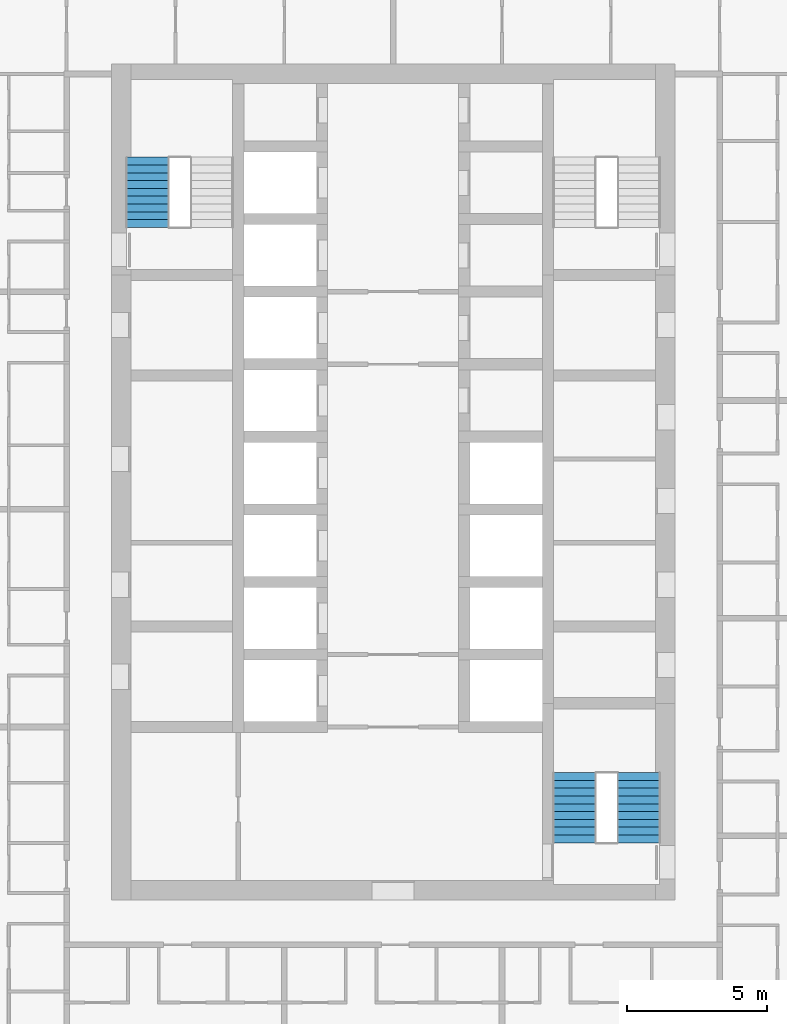
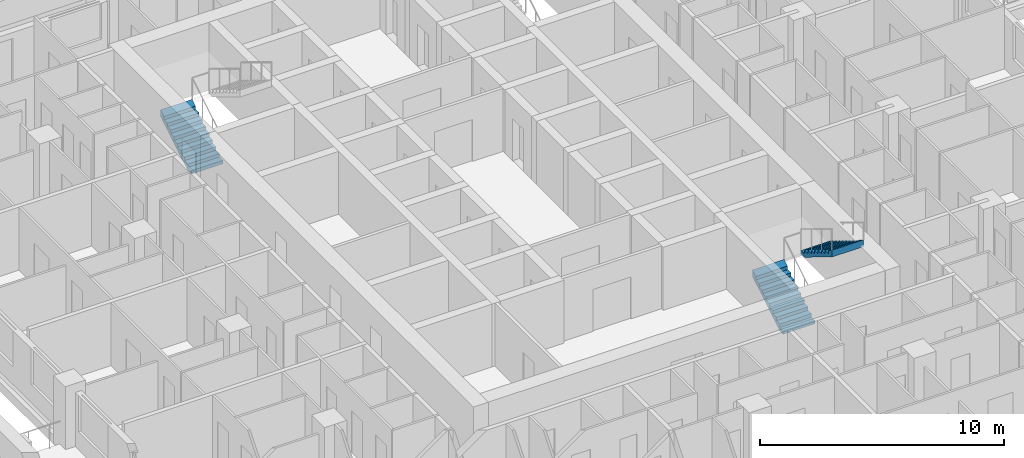
# One storey, part 15 of 18: 3 stair flights, 2 elements without a shape of their own.
"""IFC4 building model written with IfcOpenShell, lengths in metres."""

from ifc_helpers import new_model, si_unit, direction, frame, origin, place, context, subcontext, project, spatial, triangles, material, type_object, element, aggregate, save


model = new_model("IFC4")

# Units and contexts
model_context = context("Model", 3, precision=1e-05, world=origin(), true_north=direction((0.0, 1.0)))
body_context = subcontext(model_context, "Body", "Model", "MODEL_VIEW")
ifc_project = project(units=[si_unit("LENGTHUNIT", "METRE"), si_unit("AREAUNIT", "SQUARE_METRE"), si_unit("VOLUMEUNIT", "CUBIC_METRE"), si_unit("PLANEANGLEUNIT", "RADIAN"), si_unit("MASSUNIT", "GRAM", prefix="KILO")], contexts=[model_context])

# Site, building, storey
site_placement = place(None, origin())
site = spatial("IfcSite", under=ifc_project, at=site_placement, CompositionType="ELEMENT")
building_placement = place(site_placement, origin())
building = spatial("IfcBuilding", under=site, at=building_placement, Name="Ludao Terraces", CompositionType="ELEMENT")
storey_placement = place(building_placement, frame((0.0, 0.0, 64.800048828125)))
storey = spatial("IfcBuildingStorey", under=building, at=storey_placement, Name="L17", CompositionType="ELEMENT", Elevation=64.800048828125)

# Stair, stair flight
ifc_material = material(Name="Concrete C40", Category="concrete")
stair_type = type_object("IfcStairType", Name="INT Stair", PredefinedType="HALF_TURN_STAIR", material=ifc_material)
stair_1_placement = place(storey_placement, origin())
stair_1 = element("IfcStair", 1, at=stair_1_placement, inside=storey, type_object=stair_type, Name="EXIT STAIR 1", PredefinedType="HALF_TURN_STAIR")
stair_flight_type = type_object("IfcStairFlightType", Name="INT Stair flight", PredefinedType="STRAIGHT", material=ifc_material)
stair_flight_1_placement = place(storey_placement, frame((76.199951171875, 79.0, 0.0), z_axis=(0.0, 0.0, 1.0), x_axis=(0.0, 1.0, 0.0)))
stair_flight_1 = element("IfcStairFlight", 2, at=stair_flight_1_placement, type_object=stair_flight_type, Name="ST1 flight 1", NumberOfRisers=10, NumberOfTreads=9, PredefinedType="STRAIGHT", RiserHeight=0.17, TreadLength=0.28, context=body_context, shape_type="Tessellation", body=[
    triangles([(0.0, -0.75, 0.0), (0.0, -0.5, 0.0), (0.0, -0.25, 0.0), (0.0, 0.0, 0.0), (0.0, 0.25, 0.0), (0.0, 0.5, 0.0), (0.0, 0.75, 0.0), (0.0, -0.75, 0.169921875), (0.0, -0.5, 0.169921875), (0.0, -0.25, 0.169921875), (0.0, 0.0, 0.169921875), (0.0, 0.25, 0.169921875), (0.0, 0.5, 0.169921875), (0.0, 0.75, 0.169921875), (0.280029296875, -0.75, 0.169921875), (0.280029296875, -0.5, 0.169921875), (0.280029296875, -0.25, 0.169921875), (0.280029296875, 0.0, 0.169921875), (0.280029296875, 0.25, 0.169921875), (0.280029296875, 0.5, 0.169921875), (0.280029296875, 0.75, 0.169921875), (0.280029296875, -0.75, 0.340087890625), (0.280029296875, -0.5, 0.340087890625), (0.280029296875, -0.25, 0.340087890625), (0.280029296875, 0.0, 0.340087890625), (0.280029296875, 0.25, 0.340087890625), (0.280029296875, 0.5, 0.340087890625), (0.280029296875, 0.75, 0.340087890625), (0.56005859375, -0.75, 0.340087890625), (0.56005859375, -0.5, 0.340087890625), (0.56005859375, -0.25, 0.340087890625), (0.56005859375, 0.0, 0.340087890625), (0.56005859375, 0.25, 0.340087890625), (0.56005859375, 0.5, 0.340087890625), (0.56005859375, 0.75, 0.340087890625), (0.56005859375, -0.75, 0.510009765625), (0.56005859375, -0.5, 0.510009765625), (0.56005859375, -0.25, 0.510009765625), (0.56005859375, 0.0, 0.510009765625), (0.56005859375, 0.25, 0.510009765625), (0.56005859375, 0.5, 0.510009765625), (0.56005859375, 0.75, 0.510009765625), (0.840087890625, -0.75, 0.510009765625), (0.840087890625, -0.5, 0.510009765625), (0.840087890625, -0.25, 0.510009765625), (0.840087890625, 0.0, 0.510009765625), (0.840087890625, 0.25, 0.510009765625), (0.840087890625, 0.5, 0.510009765625), (0.840087890625, 0.75, 0.510009765625), (0.840087890625, -0.75, 0.679931640625), (0.840087890625, -0.5, 0.679931640625), (0.840087890625, -0.25, 0.679931640625), (0.840087890625, 0.0, 0.679931640625), (0.840087890625, 0.25, 0.679931640625), (0.840087890625, 0.5, 0.679931640625), (0.840087890625, 0.75, 0.679931640625), (1.1201171875, -0.75, 0.679931640625), (1.1201171875, -0.5, 0.679931640625), (1.1201171875, -0.25, 0.679931640625), (1.1201171875, 0.0, 0.679931640625), (1.1201171875, 0.25, 0.679931640625), (1.1201171875, 0.5, 0.679931640625), (1.1201171875, 0.75, 0.679931640625), (1.1201171875, -0.75, 0.85009765625), (1.1201171875, -0.5, 0.85009765625), (1.1201171875, -0.25, 0.85009765625), (1.1201171875, 0.0, 0.85009765625), (1.1201171875, 0.25, 0.85009765625), (1.1201171875, 0.5, 0.85009765625), (1.1201171875, 0.75, 0.85009765625), (1.39990234375, -0.75, 0.85009765625), (1.39990234375, -0.5, 0.85009765625), (1.39990234375, -0.25, 0.85009765625), (1.39990234375, 0.0, 0.85009765625), (1.39990234375, 0.25, 0.85009765625), (1.39990234375, 0.5, 0.85009765625), (1.39990234375, 0.75, 0.85009765625), (1.39990234375, -0.75, 1.02001953125), (1.39990234375, -0.5, 1.02001953125), (1.39990234375, -0.25, 1.02001953125), (1.39990234375, 0.0, 1.02001953125), (1.39990234375, 0.25, 1.02001953125), (1.39990234375, 0.5, 1.02001953125), (1.39990234375, 0.75, 1.02001953125), (1.679931640625, -0.75, 1.02001953125), (1.679931640625, -0.5, 1.02001953125), (1.679931640625, -0.25, 1.02001953125), (1.679931640625, 0.0, 1.02001953125), (1.679931640625, 0.25, 1.02001953125), (1.679931640625, 0.5, 1.02001953125), (1.679931640625, 0.75, 1.02001953125), (1.679931640625, -0.75, 1.18994140625), (1.679931640625, -0.5, 1.18994140625), (1.679931640625, -0.25, 1.18994140625), (1.679931640625, 0.0, 1.18994140625), (1.679931640625, 0.25, 1.18994140625), (1.679931640625, 0.5, 1.18994140625), (1.679931640625, 0.75, 1.18994140625), (1.9599609375, -0.75, 1.18994140625), (1.9599609375, -0.5, 1.18994140625), (1.9599609375, -0.25, 1.18994140625), (1.9599609375, 0.0, 1.18994140625), (1.9599609375, 0.25, 1.18994140625), (1.9599609375, 0.5, 1.18994140625), (1.9599609375, 0.75, 1.18994140625), (1.9599609375, -0.75, 1.360107421875), (1.9599609375, -0.5, 1.360107421875), (1.9599609375, -0.25, 1.360107421875), (1.9599609375, 0.0, 1.360107421875), (1.9599609375, 0.25, 1.360107421875), (1.9599609375, 0.5, 1.360107421875), (1.9599609375, 0.75, 1.360107421875), (2.239990234375, -0.75, 1.360107421875), (2.239990234375, -0.5, 1.360107421875), (2.239990234375, -0.25, 1.360107421875), (2.239990234375, 0.0, 1.360107421875), (2.239990234375, 0.25, 1.360107421875), (2.239990234375, 0.5, 1.360107421875), (2.239990234375, 0.75, 1.360107421875), (2.239990234375, -0.75, 1.530029296875), (2.239990234375, -0.5, 1.530029296875), (2.239990234375, -0.25, 1.530029296875), (2.239990234375, 0.0, 1.530029296875), (2.239990234375, 0.25, 1.530029296875), (2.239990234375, 0.5, 1.530029296875), (2.239990234375, 0.75, 1.530029296875), (2.52001953125, -0.75, 1.699951171875), (2.52001953125, -0.5, 1.699951171875), (2.52001953125, -0.25, 1.699951171875), (2.52001953125, 0.0, 1.699951171875), (2.52001953125, 0.25, 1.699951171875), (2.52001953125, 0.5, 1.699951171875), (2.52001953125, 0.75, 1.699951171875), (2.52001953125, -0.75, 1.354736328125), (2.52001953125, -0.5, 1.354736328125), (2.52001953125, -0.25, 1.354736328125), (2.52001953125, 0.0, 1.354736328125), (2.52001953125, 0.25, 1.354736328125), (2.52001953125, 0.5, 1.354736328125), (2.52001953125, 0.75, 1.354736328125), (0.288818359375, -0.75, 0.0), (0.288818359375, -0.5, 0.0), (0.288818359375, -0.25, 0.0), (0.288818359375, 0.0, 0.0), (0.288818359375, 0.25, 0.0), (0.288818359375, 0.5, 0.0), (0.288818359375, 0.75, 0.0)], [[1, 141, 134], [7, 140, 147], [134, 127, 120], [140, 126, 133], [134, 120, 113], [140, 119, 126], [134, 113, 106], [140, 112, 119], [134, 106, 99], [140, 105, 112], [99, 92, 85], [105, 91, 98], [134, 99, 85], [140, 91, 105], [85, 78, 71], [91, 77, 84], [134, 85, 71], [140, 77, 91], [71, 64, 57], [77, 63, 70], [134, 71, 57], [140, 63, 77], [57, 50, 43], [63, 49, 56], [134, 57, 43], [140, 49, 63], [43, 36, 29], [49, 35, 42], [134, 43, 29], [140, 35, 49], [29, 22, 15], [35, 21, 28], [134, 29, 15], [140, 21, 35], [1, 134, 15], [7, 21, 140], [15, 8, 1], [21, 7, 14], [1, 9, 2], [1, 8, 9], [2, 10, 3], [2, 9, 10], [3, 11, 4], [3, 10, 11], [4, 12, 5], [4, 11, 12], [5, 13, 6], [5, 12, 13], [6, 14, 7], [6, 13, 14], [8, 16, 9], [8, 15, 16], [9, 17, 10], [9, 16, 17], [10, 18, 11], [10, 17, 18], [11, 19, 12], [11, 18, 19], [12, 20, 13], [12, 19, 20], [13, 21, 14], [13, 20, 21], [15, 23, 16], [15, 22, 23], [16, 24, 17], [16, 23, 24], [17, 25, 18], [17, 24, 25], [18, 26, 19], [18, 25, 26], [19, 27, 20], [19, 26, 27], [20, 28, 21], [20, 27, 28], [22, 30, 23], [22, 29, 30], [23, 31, 24], [23, 30, 31], [24, 32, 25], [24, 31, 32], [25, 33, 26], [25, 32, 33], [26, 34, 27], [26, 33, 34], [27, 35, 28], [27, 34, 35], [29, 37, 30], [29, 36, 37], [30, 38, 31], [30, 37, 38], [31, 39, 32], [31, 38, 39], [32, 40, 33], [32, 39, 40], [33, 41, 34], [33, 40, 41], [34, 42, 35], [34, 41, 42], [36, 44, 37], [36, 43, 44], [37, 45, 38], [37, 44, 45], [38, 46, 39], [38, 45, 46], [39, 47, 40], [39, 46, 47], [40, 48, 41], [40, 47, 48], [41, 49, 42], [41, 48, 49], [43, 51, 44], [43, 50, 51], [44, 52, 45], [44, 51, 52], [45, 53, 46], [45, 52, 53], [46, 54, 47], [46, 53, 54], [47, 55, 48], [47, 54, 55], [48, 56, 49], [48, 55, 56], [50, 58, 51], [50, 57, 58], [51, 59, 52], [51, 58, 59], [52, 60, 53], [52, 59, 60], [53, 61, 54], [53, 60, 61], [54, 62, 55], [54, 61, 62], [55, 63, 56], [55, 62, 63], [57, 65, 58], [57, 64, 65], [58, 66, 59], [58, 65, 66], [59, 67, 60], [59, 66, 67], [60, 68, 61], [60, 67, 68], [61, 69, 62], [61, 68, 69], [62, 70, 63], [62, 69, 70], [64, 72, 65], [64, 71, 72], [65, 73, 66], [65, 72, 73], [66, 74, 67], [66, 73, 74], [67, 75, 68], [67, 74, 75], [68, 76, 69], [68, 75, 76], [69, 77, 70], [69, 76, 77], [71, 79, 72], [71, 78, 79], [72, 80, 73], [72, 79, 80], [73, 81, 74], [73, 80, 81], [74, 82, 75], [74, 81, 82], [75, 83, 76], [75, 82, 83], [76, 84, 77], [76, 83, 84], [78, 86, 79], [78, 85, 86], [79, 87, 80], [79, 86, 87], [80, 88, 81], [80, 87, 88], [81, 89, 82], [81, 88, 89], [82, 90, 83], [82, 89, 90], [83, 91, 84], [83, 90, 91], [85, 93, 86], [85, 92, 93], [86, 94, 87], [86, 93, 94], [87, 95, 88], [87, 94, 95], [88, 96, 89], [88, 95, 96], [89, 97, 90], [89, 96, 97], [90, 98, 91], [90, 97, 98], [92, 100, 93], [92, 99, 100], [93, 101, 94], [93, 100, 101], [94, 102, 95], [94, 101, 102], [95, 103, 96], [95, 102, 103], [96, 104, 97], [96, 103, 104], [97, 105, 98], [97, 104, 105], [99, 107, 100], [99, 106, 107], [100, 108, 101], [100, 107, 108], [101, 109, 102], [101, 108, 109], [102, 110, 103], [102, 109, 110], [103, 111, 104], [103, 110, 111], [104, 112, 105], [104, 111, 112], [106, 114, 107], [106, 113, 114], [107, 115, 108], [107, 114, 115], [108, 116, 109], [108, 115, 116], [109, 117, 110], [109, 116, 117], [110, 118, 111], [110, 117, 118], [111, 119, 112], [111, 118, 119], [113, 121, 114], [113, 120, 121], [114, 122, 115], [114, 121, 122], [115, 123, 116], [115, 122, 123], [116, 124, 117], [116, 123, 124], [117, 125, 118], [117, 124, 125], [118, 126, 119], [118, 125, 126], [120, 128, 121], [120, 127, 128], [121, 129, 122], [121, 128, 129], [122, 130, 123], [122, 129, 130], [123, 131, 124], [123, 130, 131], [124, 132, 125], [124, 131, 132], [125, 133, 126], [125, 132, 133], [127, 135, 128], [127, 134, 135], [128, 136, 129], [128, 135, 136], [129, 137, 130], [129, 136, 137], [130, 138, 131], [130, 137, 138], [131, 139, 132], [131, 138, 139], [132, 140, 133], [132, 139, 140], [134, 142, 135], [134, 141, 142], [135, 143, 136], [135, 142, 143], [136, 144, 137], [136, 143, 144], [137, 145, 138], [137, 144, 145], [138, 146, 139], [138, 145, 146], [139, 147, 140], [139, 146, 147], [141, 2, 142], [141, 1, 2], [142, 3, 143], [142, 2, 3], [143, 4, 144], [143, 3, 4], [144, 5, 145], [144, 4, 5], [145, 6, 146], [145, 5, 6], [146, 7, 147], [146, 6, 7]], closed=True),
])
aggregate(stair_1, [stair_flight_1])

# Stair, stair flights
stair_2_placement = place(storey_placement, origin())
stair_2 = element("IfcStair", 3, at=stair_2_placement, inside=storey, type_object=stair_type, Name="EXIT STAIR 3", PredefinedType="HALF_TURN_STAIR")
stair_flight_2_placement = place(storey_placement, frame((91.5, 56.949951171875, 0.0), z_axis=(0.0, 0.0, 1.0), x_axis=(0.0, 1.0, 0.0)))
stair_flight_2 = element("IfcStairFlight", 4, at=stair_flight_2_placement, type_object=stair_flight_type, Name="ST3 flight 1", NumberOfRisers=10, NumberOfTreads=9, PredefinedType="STRAIGHT", RiserHeight=0.17, TreadLength=0.28, context=body_context, shape_type="Tessellation", body=[
    triangles([(0.0, -0.75, 0.0), (0.0, -0.5, 0.0), (0.0, -0.25, 0.0), (0.0, 0.0, 0.0), (0.0, 0.25, 0.0), (0.0, 0.5, 0.0), (0.0, 0.75, 0.0), (0.0, -0.75, 0.169921875), (0.0, -0.5, 0.169921875), (0.0, -0.25, 0.169921875), (0.0, 0.0, 0.169921875), (0.0, 0.25, 0.169921875), (0.0, 0.5, 0.169921875), (0.0, 0.75, 0.169921875), (0.280029296875, -0.75, 0.169921875), (0.280029296875, -0.5, 0.169921875), (0.280029296875, -0.25, 0.169921875), (0.280029296875, 0.0, 0.169921875), (0.280029296875, 0.25, 0.169921875), (0.280029296875, 0.5, 0.169921875), (0.280029296875, 0.75, 0.169921875), (0.280029296875, -0.75, 0.340087890625), (0.280029296875, -0.5, 0.340087890625), (0.280029296875, -0.25, 0.340087890625), (0.280029296875, 0.0, 0.340087890625), (0.280029296875, 0.25, 0.340087890625), (0.280029296875, 0.5, 0.340087890625), (0.280029296875, 0.75, 0.340087890625), (0.56005859375, -0.75, 0.340087890625), (0.56005859375, -0.5, 0.340087890625), (0.56005859375, -0.25, 0.340087890625), (0.56005859375, 0.0, 0.340087890625), (0.56005859375, 0.25, 0.340087890625), (0.56005859375, 0.5, 0.340087890625), (0.56005859375, 0.75, 0.340087890625), (0.56005859375, -0.75, 0.510009765625), (0.56005859375, -0.5, 0.510009765625), (0.56005859375, -0.25, 0.510009765625), (0.56005859375, 0.0, 0.510009765625), (0.56005859375, 0.25, 0.510009765625), (0.56005859375, 0.5, 0.510009765625), (0.56005859375, 0.75, 0.510009765625), (0.840087890625, -0.75, 0.510009765625), (0.840087890625, -0.5, 0.510009765625), (0.840087890625, -0.25, 0.510009765625), (0.840087890625, 0.0, 0.510009765625), (0.840087890625, 0.25, 0.510009765625), (0.840087890625, 0.5, 0.510009765625), (0.840087890625, 0.75, 0.510009765625), (0.840087890625, -0.75, 0.679931640625), (0.840087890625, -0.5, 0.679931640625), (0.840087890625, -0.25, 0.679931640625), (0.840087890625, 0.0, 0.679931640625), (0.840087890625, 0.25, 0.679931640625), (0.840087890625, 0.5, 0.679931640625), (0.840087890625, 0.75, 0.679931640625), (1.1201171875, -0.75, 0.679931640625), (1.1201171875, -0.5, 0.679931640625), (1.1201171875, -0.25, 0.679931640625), (1.1201171875, 0.0, 0.679931640625), (1.1201171875, 0.25, 0.679931640625), (1.1201171875, 0.5, 0.679931640625), (1.1201171875, 0.75, 0.679931640625), (1.1201171875, -0.75, 0.85009765625), (1.1201171875, -0.5, 0.85009765625), (1.1201171875, -0.25, 0.85009765625), (1.1201171875, 0.0, 0.85009765625), (1.1201171875, 0.25, 0.85009765625), (1.1201171875, 0.5, 0.85009765625), (1.1201171875, 0.75, 0.85009765625), (1.39990234375, -0.75, 0.85009765625), (1.39990234375, -0.5, 0.85009765625), (1.39990234375, -0.25, 0.85009765625), (1.39990234375, 0.0, 0.85009765625), (1.39990234375, 0.25, 0.85009765625), (1.39990234375, 0.5, 0.85009765625), (1.39990234375, 0.75, 0.85009765625), (1.39990234375, -0.75, 1.02001953125), (1.39990234375, -0.5, 1.02001953125), (1.39990234375, -0.25, 1.02001953125), (1.39990234375, 0.0, 1.02001953125), (1.39990234375, 0.25, 1.02001953125), (1.39990234375, 0.5, 1.02001953125), (1.39990234375, 0.75, 1.02001953125), (1.679931640625, -0.75, 1.02001953125), (1.679931640625, -0.5, 1.02001953125), (1.679931640625, -0.25, 1.02001953125), (1.679931640625, 0.0, 1.02001953125), (1.679931640625, 0.25, 1.02001953125), (1.679931640625, 0.5, 1.02001953125), (1.679931640625, 0.75, 1.02001953125), (1.679931640625, -0.75, 1.18994140625), (1.679931640625, -0.5, 1.18994140625), (1.679931640625, -0.25, 1.18994140625), (1.679931640625, 0.0, 1.18994140625), (1.679931640625, 0.25, 1.18994140625), (1.679931640625, 0.5, 1.18994140625), (1.679931640625, 0.75, 1.18994140625), (1.9599609375, -0.75, 1.18994140625), (1.9599609375, -0.5, 1.18994140625), (1.9599609375, -0.25, 1.18994140625), (1.9599609375, 0.0, 1.18994140625), (1.9599609375, 0.25, 1.18994140625), (1.9599609375, 0.5, 1.18994140625), (1.9599609375, 0.75, 1.18994140625), (1.9599609375, -0.75, 1.360107421875), (1.9599609375, -0.5, 1.360107421875), (1.9599609375, -0.25, 1.360107421875), (1.9599609375, 0.0, 1.360107421875), (1.9599609375, 0.25, 1.360107421875), (1.9599609375, 0.5, 1.360107421875), (1.9599609375, 0.75, 1.360107421875), (2.239990234375, -0.75, 1.360107421875), (2.239990234375, -0.5, 1.360107421875), (2.239990234375, -0.25, 1.360107421875), (2.239990234375, 0.0, 1.360107421875), (2.239990234375, 0.25, 1.360107421875), (2.239990234375, 0.5, 1.360107421875), (2.239990234375, 0.75, 1.360107421875), (2.239990234375, -0.75, 1.530029296875), (2.239990234375, -0.5, 1.530029296875), (2.239990234375, -0.25, 1.530029296875), (2.239990234375, 0.0, 1.530029296875), (2.239990234375, 0.25, 1.530029296875), (2.239990234375, 0.5, 1.530029296875), (2.239990234375, 0.75, 1.530029296875), (2.52001953125, -0.75, 1.699951171875), (2.52001953125, -0.5, 1.699951171875), (2.52001953125, -0.25, 1.699951171875), (2.52001953125, 0.0, 1.699951171875), (2.52001953125, 0.25, 1.699951171875), (2.52001953125, 0.5, 1.699951171875), (2.52001953125, 0.75, 1.699951171875), (2.52001953125, -0.75, 1.354736328125), (2.52001953125, -0.5, 1.354736328125), (2.52001953125, -0.25, 1.354736328125), (2.52001953125, 0.0, 1.354736328125), (2.52001953125, 0.25, 1.354736328125), (2.52001953125, 0.5, 1.354736328125), (2.52001953125, 0.75, 1.354736328125), (0.288818359375, -0.75, 0.0), (0.288818359375, -0.5, 0.0), (0.288818359375, -0.25, 0.0), (0.288818359375, 0.0, 0.0), (0.288818359375, 0.25, 0.0), (0.288818359375, 0.5, 0.0), (0.288818359375, 0.75, 0.0)], [[1, 141, 134], [7, 140, 147], [134, 127, 120], [140, 126, 133], [134, 120, 113], [140, 119, 126], [134, 113, 106], [140, 112, 119], [134, 106, 99], [140, 105, 112], [99, 92, 85], [105, 91, 98], [134, 99, 85], [140, 91, 105], [85, 78, 71], [91, 77, 84], [134, 85, 71], [140, 77, 91], [71, 64, 57], [77, 63, 70], [134, 71, 57], [140, 63, 77], [57, 50, 43], [63, 49, 56], [134, 57, 43], [140, 49, 63], [43, 36, 29], [49, 35, 42], [134, 43, 29], [140, 35, 49], [29, 22, 15], [35, 21, 28], [134, 29, 15], [140, 21, 35], [1, 134, 15], [7, 21, 140], [15, 8, 1], [21, 7, 14], [1, 9, 2], [1, 8, 9], [2, 10, 3], [2, 9, 10], [3, 11, 4], [3, 10, 11], [4, 12, 5], [4, 11, 12], [5, 13, 6], [5, 12, 13], [6, 14, 7], [6, 13, 14], [8, 16, 9], [8, 15, 16], [9, 17, 10], [9, 16, 17], [10, 18, 11], [10, 17, 18], [11, 19, 12], [11, 18, 19], [12, 20, 13], [12, 19, 20], [13, 21, 14], [13, 20, 21], [15, 23, 16], [15, 22, 23], [16, 24, 17], [16, 23, 24], [17, 25, 18], [17, 24, 25], [18, 26, 19], [18, 25, 26], [19, 27, 20], [19, 26, 27], [20, 28, 21], [20, 27, 28], [22, 30, 23], [22, 29, 30], [23, 31, 24], [23, 30, 31], [24, 32, 25], [24, 31, 32], [25, 33, 26], [25, 32, 33], [26, 34, 27], [26, 33, 34], [27, 35, 28], [27, 34, 35], [29, 37, 30], [29, 36, 37], [30, 38, 31], [30, 37, 38], [31, 39, 32], [31, 38, 39], [32, 40, 33], [32, 39, 40], [33, 41, 34], [33, 40, 41], [34, 42, 35], [34, 41, 42], [36, 44, 37], [36, 43, 44], [37, 45, 38], [37, 44, 45], [38, 46, 39], [38, 45, 46], [39, 47, 40], [39, 46, 47], [40, 48, 41], [40, 47, 48], [41, 49, 42], [41, 48, 49], [43, 51, 44], [43, 50, 51], [44, 52, 45], [44, 51, 52], [45, 53, 46], [45, 52, 53], [46, 54, 47], [46, 53, 54], [47, 55, 48], [47, 54, 55], [48, 56, 49], [48, 55, 56], [50, 58, 51], [50, 57, 58], [51, 59, 52], [51, 58, 59], [52, 60, 53], [52, 59, 60], [53, 61, 54], [53, 60, 61], [54, 62, 55], [54, 61, 62], [55, 63, 56], [55, 62, 63], [57, 65, 58], [57, 64, 65], [58, 66, 59], [58, 65, 66], [59, 67, 60], [59, 66, 67], [60, 68, 61], [60, 67, 68], [61, 69, 62], [61, 68, 69], [62, 70, 63], [62, 69, 70], [64, 72, 65], [64, 71, 72], [65, 73, 66], [65, 72, 73], [66, 74, 67], [66, 73, 74], [67, 75, 68], [67, 74, 75], [68, 76, 69], [68, 75, 76], [69, 77, 70], [69, 76, 77], [71, 79, 72], [71, 78, 79], [72, 80, 73], [72, 79, 80], [73, 81, 74], [73, 80, 81], [74, 82, 75], [74, 81, 82], [75, 83, 76], [75, 82, 83], [76, 84, 77], [76, 83, 84], [78, 86, 79], [78, 85, 86], [79, 87, 80], [79, 86, 87], [80, 88, 81], [80, 87, 88], [81, 89, 82], [81, 88, 89], [82, 90, 83], [82, 89, 90], [83, 91, 84], [83, 90, 91], [85, 93, 86], [85, 92, 93], [86, 94, 87], [86, 93, 94], [87, 95, 88], [87, 94, 95], [88, 96, 89], [88, 95, 96], [89, 97, 90], [89, 96, 97], [90, 98, 91], [90, 97, 98], [92, 100, 93], [92, 99, 100], [93, 101, 94], [93, 100, 101], [94, 102, 95], [94, 101, 102], [95, 103, 96], [95, 102, 103], [96, 104, 97], [96, 103, 104], [97, 105, 98], [97, 104, 105], [99, 107, 100], [99, 106, 107], [100, 108, 101], [100, 107, 108], [101, 109, 102], [101, 108, 109], [102, 110, 103], [102, 109, 110], [103, 111, 104], [103, 110, 111], [104, 112, 105], [104, 111, 112], [106, 114, 107], [106, 113, 114], [107, 115, 108], [107, 114, 115], [108, 116, 109], [108, 115, 116], [109, 117, 110], [109, 116, 117], [110, 118, 111], [110, 117, 118], [111, 119, 112], [111, 118, 119], [113, 121, 114], [113, 120, 121], [114, 122, 115], [114, 121, 122], [115, 123, 116], [115, 122, 123], [116, 124, 117], [116, 123, 124], [117, 125, 118], [117, 124, 125], [118, 126, 119], [118, 125, 126], [120, 128, 121], [120, 127, 128], [121, 129, 122], [121, 128, 129], [122, 130, 123], [122, 129, 130], [123, 131, 124], [123, 130, 131], [124, 132, 125], [124, 131, 132], [125, 133, 126], [125, 132, 133], [127, 135, 128], [127, 134, 135], [128, 136, 129], [128, 135, 136], [129, 137, 130], [129, 136, 137], [130, 138, 131], [130, 137, 138], [131, 139, 132], [131, 138, 139], [132, 140, 133], [132, 139, 140], [134, 142, 135], [134, 141, 142], [135, 143, 136], [135, 142, 143], [136, 144, 137], [136, 143, 144], [137, 145, 138], [137, 144, 145], [138, 146, 139], [138, 145, 146], [139, 147, 140], [139, 146, 147], [141, 2, 142], [141, 1, 2], [142, 3, 143], [142, 2, 3], [143, 4, 144], [143, 3, 4], [144, 5, 145], [144, 4, 5], [145, 6, 146], [145, 5, 6], [146, 7, 147], [146, 6, 7]], closed=True),
])
stair_flight_3_placement = place(storey_placement, frame((93.800048828125, 59.469970703125, 1.699951171875), z_axis=(0.0, 0.0, 1.0), x_axis=(0.0, -1.0, 0.0)))
stair_flight_3 = element("IfcStairFlight", 5, at=stair_flight_3_placement, type_object=stair_flight_type, Name="ST3 flight 2", NumberOfRisers=10, NumberOfTreads=9, PredefinedType="STRAIGHT", RiserHeight=0.17, TreadLength=0.28, context=body_context, shape_type="Tessellation", body=[
    triangles([(0.0, -0.75, 0.0), (0.0, -0.5, 0.0), (0.0, -0.25, 0.0), (0.0, 0.0, 0.0), (0.0, 0.25, 0.0), (0.0, 0.5, 0.0), (0.0, 0.75, 0.0), (0.0, -0.75, 0.169921875), (0.0, -0.5, 0.169921875), (0.0, -0.25, 0.169921875), (0.0, 0.0, 0.169921875), (0.0, 0.25, 0.169921875), (0.0, 0.5, 0.169921875), (0.0, 0.75, 0.169921875), (0.280029296875, -0.75, 0.169921875), (0.280029296875, -0.5, 0.169921875), (0.280029296875, -0.25, 0.169921875), (0.280029296875, 0.0, 0.169921875), (0.280029296875, 0.25, 0.169921875), (0.280029296875, 0.5, 0.169921875), (0.280029296875, 0.75, 0.169921875), (0.280029296875, -0.75, 0.340087890625), (0.280029296875, -0.5, 0.340087890625), (0.280029296875, -0.25, 0.340087890625), (0.280029296875, 0.0, 0.340087890625), (0.280029296875, 0.25, 0.340087890625), (0.280029296875, 0.5, 0.340087890625), (0.280029296875, 0.75, 0.340087890625), (0.56005859375, -0.75, 0.340087890625), (0.56005859375, -0.5, 0.340087890625), (0.56005859375, -0.25, 0.340087890625), (0.56005859375, 0.0, 0.340087890625), (0.56005859375, 0.25, 0.340087890625), (0.56005859375, 0.5, 0.340087890625), (0.56005859375, 0.75, 0.340087890625), (0.56005859375, -0.75, 0.510009765625), (0.56005859375, -0.5, 0.510009765625), (0.56005859375, -0.25, 0.510009765625), (0.56005859375, 0.0, 0.510009765625), (0.56005859375, 0.25, 0.510009765625), (0.56005859375, 0.5, 0.510009765625), (0.56005859375, 0.75, 0.510009765625), (0.840087890625, -0.75, 0.510009765625), (0.840087890625, -0.5, 0.510009765625), (0.840087890625, -0.25, 0.510009765625), (0.840087890625, 0.0, 0.510009765625), (0.840087890625, 0.25, 0.510009765625), (0.840087890625, 0.5, 0.510009765625), (0.840087890625, 0.75, 0.510009765625), (0.840087890625, -0.75, 0.679931640625), (0.840087890625, -0.5, 0.679931640625), (0.840087890625, -0.25, 0.679931640625), (0.840087890625, 0.0, 0.679931640625), (0.840087890625, 0.25, 0.679931640625), (0.840087890625, 0.5, 0.679931640625), (0.840087890625, 0.75, 0.679931640625), (1.1201171875, -0.75, 0.679931640625), (1.1201171875, -0.5, 0.679931640625), (1.1201171875, -0.25, 0.679931640625), (1.1201171875, 0.0, 0.679931640625), (1.1201171875, 0.25, 0.679931640625), (1.1201171875, 0.5, 0.679931640625), (1.1201171875, 0.75, 0.679931640625), (1.1201171875, -0.75, 0.85009765625), (1.1201171875, -0.5, 0.85009765625), (1.1201171875, -0.25, 0.85009765625), (1.1201171875, 0.0, 0.85009765625), (1.1201171875, 0.25, 0.85009765625), (1.1201171875, 0.5, 0.85009765625), (1.1201171875, 0.75, 0.85009765625), (1.39990234375, -0.75, 0.85009765625), (1.39990234375, -0.5, 0.85009765625), (1.39990234375, -0.25, 0.85009765625), (1.39990234375, 0.0, 0.85009765625), (1.39990234375, 0.25, 0.85009765625), (1.39990234375, 0.5, 0.85009765625), (1.39990234375, 0.75, 0.85009765625), (1.39990234375, -0.75, 1.02001953125), (1.39990234375, -0.5, 1.02001953125), (1.39990234375, -0.25, 1.02001953125), (1.39990234375, 0.0, 1.02001953125), (1.39990234375, 0.25, 1.02001953125), (1.39990234375, 0.5, 1.02001953125), (1.39990234375, 0.75, 1.02001953125), (1.679931640625, -0.75, 1.02001953125), (1.679931640625, -0.5, 1.02001953125), (1.679931640625, -0.25, 1.02001953125), (1.679931640625, 0.0, 1.02001953125), (1.679931640625, 0.25, 1.02001953125), (1.679931640625, 0.5, 1.02001953125), (1.679931640625, 0.75, 1.02001953125), (1.679931640625, -0.75, 1.18994140625), (1.679931640625, -0.5, 1.18994140625), (1.679931640625, -0.25, 1.18994140625), (1.679931640625, 0.0, 1.18994140625), (1.679931640625, 0.25, 1.18994140625), (1.679931640625, 0.5, 1.18994140625), (1.679931640625, 0.75, 1.18994140625), (1.9599609375, -0.75, 1.18994140625), (1.9599609375, -0.5, 1.18994140625), (1.9599609375, -0.25, 1.18994140625), (1.9599609375, 0.0, 1.18994140625), (1.9599609375, 0.25, 1.18994140625), (1.9599609375, 0.5, 1.18994140625), (1.9599609375, 0.75, 1.18994140625), (1.9599609375, -0.75, 1.360107421875), (1.9599609375, -0.5, 1.360107421875), (1.9599609375, -0.25, 1.360107421875), (1.9599609375, 0.0, 1.360107421875), (1.9599609375, 0.25, 1.360107421875), (1.9599609375, 0.5, 1.360107421875), (1.9599609375, 0.75, 1.360107421875), (2.239990234375, -0.75, 1.360107421875), (2.239990234375, -0.5, 1.360107421875), (2.239990234375, -0.25, 1.360107421875), (2.239990234375, 0.0, 1.360107421875), (2.239990234375, 0.25, 1.360107421875), (2.239990234375, 0.5, 1.360107421875), (2.239990234375, 0.75, 1.360107421875), (2.239990234375, -0.75, 1.530029296875), (2.239990234375, -0.5, 1.530029296875), (2.239990234375, -0.25, 1.530029296875), (2.239990234375, 0.0, 1.530029296875), (2.239990234375, 0.25, 1.530029296875), (2.239990234375, 0.5, 1.530029296875), (2.239990234375, 0.75, 1.530029296875), (2.52001953125, -0.75, 1.699951171875), (2.52001953125, -0.5, 1.699951171875), (2.52001953125, -0.25, 1.699951171875), (2.52001953125, 0.0, 1.699951171875), (2.52001953125, 0.25, 1.699951171875), (2.52001953125, 0.5, 1.699951171875), (2.52001953125, 0.75, 1.699951171875), (2.52001953125, -0.75, 1.354736328125), (2.52001953125, -0.5, 1.354736328125), (2.52001953125, -0.25, 1.354736328125), (2.52001953125, 0.0, 1.354736328125), (2.52001953125, 0.25, 1.354736328125), (2.52001953125, 0.5, 1.354736328125), (2.52001953125, 0.75, 1.354736328125), (0.288818359375, -0.75, 0.0), (0.288818359375, -0.5, 0.0), (0.288818359375, -0.25, 0.0), (0.288818359375, 0.0, 0.0), (0.288818359375, 0.25, 0.0), (0.288818359375, 0.5, 0.0), (0.288818359375, 0.75, 0.0)], [[1, 141, 134], [7, 140, 147], [134, 127, 120], [140, 126, 133], [134, 120, 113], [140, 119, 126], [134, 113, 106], [140, 112, 119], [134, 106, 99], [140, 105, 112], [99, 92, 85], [105, 91, 98], [134, 99, 85], [140, 91, 105], [85, 78, 71], [91, 77, 84], [134, 85, 71], [140, 77, 91], [71, 64, 57], [77, 63, 70], [134, 71, 57], [140, 63, 77], [57, 50, 43], [63, 49, 56], [134, 57, 43], [140, 49, 63], [43, 36, 29], [49, 35, 42], [134, 43, 29], [140, 35, 49], [29, 22, 15], [35, 21, 28], [134, 29, 15], [140, 21, 35], [1, 134, 15], [7, 21, 140], [15, 8, 1], [21, 7, 14], [1, 9, 2], [1, 8, 9], [2, 10, 3], [2, 9, 10], [3, 11, 4], [3, 10, 11], [4, 12, 5], [4, 11, 12], [5, 13, 6], [5, 12, 13], [6, 14, 7], [6, 13, 14], [8, 16, 9], [8, 15, 16], [9, 17, 10], [9, 16, 17], [10, 18, 11], [10, 17, 18], [11, 19, 12], [11, 18, 19], [12, 20, 13], [12, 19, 20], [13, 21, 14], [13, 20, 21], [15, 23, 16], [15, 22, 23], [16, 24, 17], [16, 23, 24], [17, 25, 18], [17, 24, 25], [18, 26, 19], [18, 25, 26], [19, 27, 20], [19, 26, 27], [20, 28, 21], [20, 27, 28], [22, 30, 23], [22, 29, 30], [23, 31, 24], [23, 30, 31], [24, 32, 25], [24, 31, 32], [25, 33, 26], [25, 32, 33], [26, 34, 27], [26, 33, 34], [27, 35, 28], [27, 34, 35], [29, 37, 30], [29, 36, 37], [30, 38, 31], [30, 37, 38], [31, 39, 32], [31, 38, 39], [32, 40, 33], [32, 39, 40], [33, 41, 34], [33, 40, 41], [34, 42, 35], [34, 41, 42], [36, 44, 37], [36, 43, 44], [37, 45, 38], [37, 44, 45], [38, 46, 39], [38, 45, 46], [39, 47, 40], [39, 46, 47], [40, 48, 41], [40, 47, 48], [41, 49, 42], [41, 48, 49], [43, 51, 44], [43, 50, 51], [44, 52, 45], [44, 51, 52], [45, 53, 46], [45, 52, 53], [46, 54, 47], [46, 53, 54], [47, 55, 48], [47, 54, 55], [48, 56, 49], [48, 55, 56], [50, 58, 51], [50, 57, 58], [51, 59, 52], [51, 58, 59], [52, 60, 53], [52, 59, 60], [53, 61, 54], [53, 60, 61], [54, 62, 55], [54, 61, 62], [55, 63, 56], [55, 62, 63], [57, 65, 58], [57, 64, 65], [58, 66, 59], [58, 65, 66], [59, 67, 60], [59, 66, 67], [60, 68, 61], [60, 67, 68], [61, 69, 62], [61, 68, 69], [62, 70, 63], [62, 69, 70], [64, 72, 65], [64, 71, 72], [65, 73, 66], [65, 72, 73], [66, 74, 67], [66, 73, 74], [67, 75, 68], [67, 74, 75], [68, 76, 69], [68, 75, 76], [69, 77, 70], [69, 76, 77], [71, 79, 72], [71, 78, 79], [72, 80, 73], [72, 79, 80], [73, 81, 74], [73, 80, 81], [74, 82, 75], [74, 81, 82], [75, 83, 76], [75, 82, 83], [76, 84, 77], [76, 83, 84], [78, 86, 79], [78, 85, 86], [79, 87, 80], [79, 86, 87], [80, 88, 81], [80, 87, 88], [81, 89, 82], [81, 88, 89], [82, 90, 83], [82, 89, 90], [83, 91, 84], [83, 90, 91], [85, 93, 86], [85, 92, 93], [86, 94, 87], [86, 93, 94], [87, 95, 88], [87, 94, 95], [88, 96, 89], [88, 95, 96], [89, 97, 90], [89, 96, 97], [90, 98, 91], [90, 97, 98], [92, 100, 93], [92, 99, 100], [93, 101, 94], [93, 100, 101], [94, 102, 95], [94, 101, 102], [95, 103, 96], [95, 102, 103], [96, 104, 97], [96, 103, 104], [97, 105, 98], [97, 104, 105], [99, 107, 100], [99, 106, 107], [100, 108, 101], [100, 107, 108], [101, 109, 102], [101, 108, 109], [102, 110, 103], [102, 109, 110], [103, 111, 104], [103, 110, 111], [104, 112, 105], [104, 111, 112], [106, 114, 107], [106, 113, 114], [107, 115, 108], [107, 114, 115], [108, 116, 109], [108, 115, 116], [109, 117, 110], [109, 116, 117], [110, 118, 111], [110, 117, 118], [111, 119, 112], [111, 118, 119], [113, 121, 114], [113, 120, 121], [114, 122, 115], [114, 121, 122], [115, 123, 116], [115, 122, 123], [116, 124, 117], [116, 123, 124], [117, 125, 118], [117, 124, 125], [118, 126, 119], [118, 125, 126], [120, 128, 121], [120, 127, 128], [121, 129, 122], [121, 128, 129], [122, 130, 123], [122, 129, 130], [123, 131, 124], [123, 130, 131], [124, 132, 125], [124, 131, 132], [125, 133, 126], [125, 132, 133], [127, 135, 128], [127, 134, 135], [128, 136, 129], [128, 135, 136], [129, 137, 130], [129, 136, 137], [130, 138, 131], [130, 137, 138], [131, 139, 132], [131, 138, 139], [132, 140, 133], [132, 139, 140], [134, 142, 135], [134, 141, 142], [135, 143, 136], [135, 142, 143], [136, 144, 137], [136, 143, 144], [137, 145, 138], [137, 144, 145], [138, 146, 139], [138, 145, 146], [139, 147, 140], [139, 146, 147], [141, 2, 142], [141, 1, 2], [142, 3, 143], [142, 2, 3], [143, 4, 144], [143, 3, 4], [144, 5, 145], [144, 4, 5], [145, 6, 146], [145, 5, 6], [146, 7, 147], [146, 6, 7]], closed=True),
])
aggregate(stair_2, [stair_flight_2, stair_flight_3])

save(model, "model.ifc")
